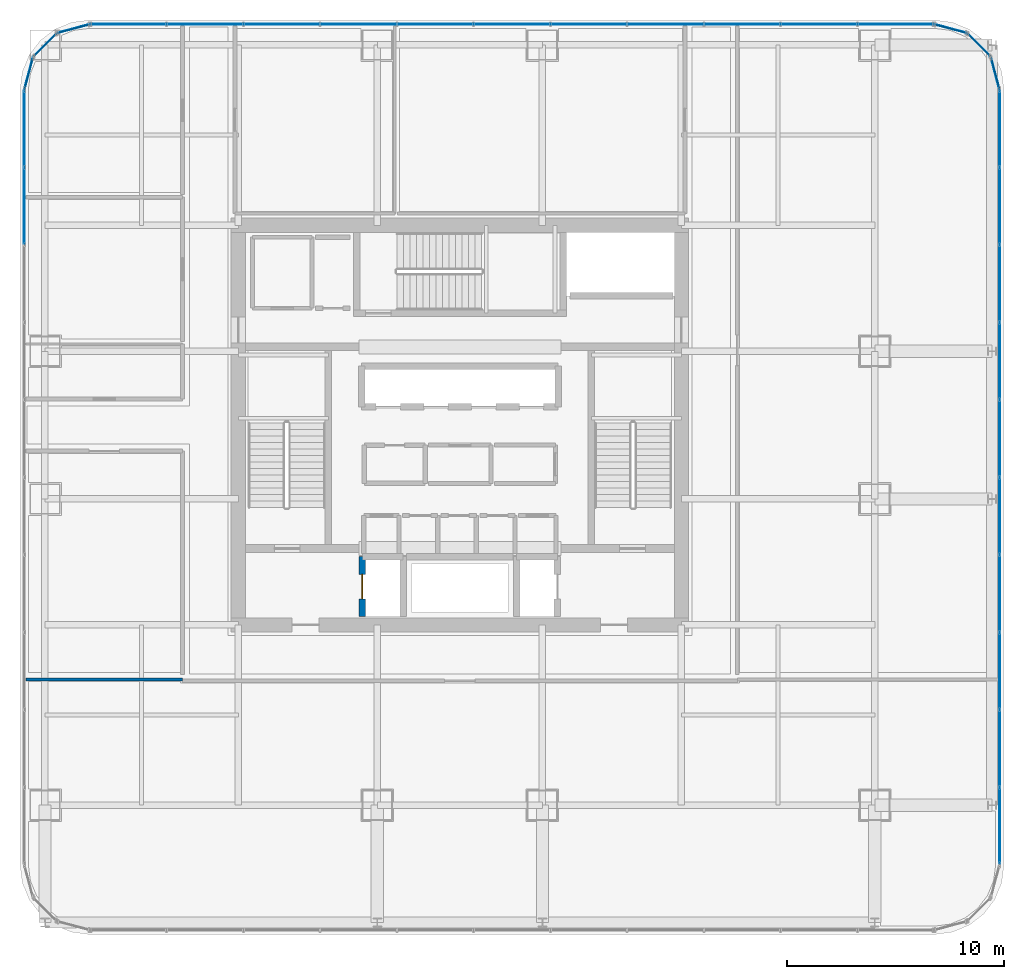
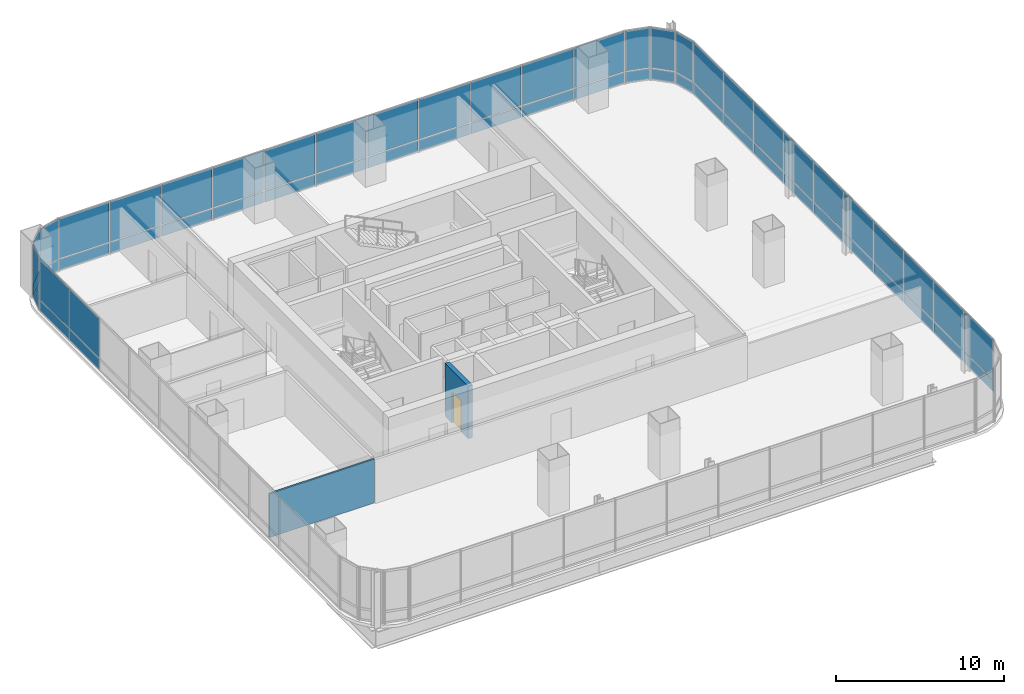
# One storey, part 28 of 36: 58 plates, 2 walls, 1 door, 1 opening, 9 elements without a shape of their own.
"""IFC4 building model written with IfcOpenShell, lengths in metres."""

import ifcopenshell
import ifcopenshell.guid

model = None  # the IFC model being written
_history = None  # IfcOwnerHistory: only IFC2X3 demands one
_inside = {}  # id of a spatial element -> (the spatial element, [elements in it])
_under = {}  # id of a project, library or spatial element -> (it, [spatial elements below it])
_declared = {}  # id of a project -> (the project, [libraries it declares])
_typed = {}  # id of a type object -> (the type object, [elements of that type])
_made_of = {}  # id of a material, layer set ... -> (it, [elements and type objects made of it])


def new_model(schema):
    """Start an empty IFC model of exactly this schema.

    Asked for "IFC4X3", IfcOpenShell would pick the latest addendum, in which some entities
    have other attributes; the version numbers below select the first issue.
    IFC2X3 requires an IfcOwnerHistory on every rooted entity: one is made here for all.
    """
    global model, _history
    if schema == "IFC4X3":
        model = ifcopenshell.file(schema_version=(4, 3, 0, 0))
    else:
        model = ifcopenshell.file(schema=schema)
    _inside.clear()
    _under.clear()
    _declared.clear()
    _typed.clear()
    _made_of.clear()
    _history = None
    if model.schema == "IFC2X3":
        org = make("IfcOrganization", Name="unknown")
        user = make(
            "IfcPersonAndOrganization",
            ThePerson=make("IfcPerson", FamilyName="unknown"),
            TheOrganization=org,
        )
        app = make(
            "IfcApplication",
            ApplicationDeveloper=org,
            Version="unknown",
            ApplicationFullName="unknown",
            ApplicationIdentifier="unknown",
        )
        _history = make(
            "IfcOwnerHistory",
            OwningUser=user,
            OwningApplication=app,
            ChangeAction="ADDED",
            CreationDate=0,
        )
    return model


def make(cls, **values):
    """One entity of the class cls with the attributes given. An attribute that is None is left unset."""
    return model.create_entity(
        cls, **{name: value for name, value in values.items() if value is not None}
    )


def rooted(cls, **values):
    """An entity with a GlobalId (a new one), such as an element, a storey or a relation."""
    return make(cls, GlobalId=ifcopenshell.guid.new(), OwnerHistory=_history, **values)


def si_unit(unit_type, name, prefix=None):
    """IfcSIUnit, for example si_unit("LENGTHUNIT", "METRE", prefix="MILLI")."""
    return make("IfcSIUnit", UnitType=unit_type, Prefix=prefix, Name=name)


def assignment(units):
    """IfcUnitAssignment: the units of a project."""
    return None if units is None else make("IfcUnitAssignment", Units=units)


def point(xyz):
    """IfcCartesianPoint."""
    return None if xyz is None else make("IfcCartesianPoint", Coordinates=xyz)


def direction(xyz):
    """IfcDirection."""
    return None if xyz is None else make("IfcDirection", DirectionRatios=xyz)


def frame(location, z_axis=None, x_axis=None):
    """IfcAxis2Placement3D, a coordinate frame: its origin and axes. An axis left out is left unset."""
    return make(
        "IfcAxis2Placement3D",
        Location=point(location),
        Axis=direction(z_axis),
        RefDirection=direction(x_axis),
    )


def frame_2d(location, x_axis=None):
    """IfcAxis2Placement2D, a coordinate frame in the plane: its origin and x axis."""
    return make(
        "IfcAxis2Placement2D", Location=point(location), RefDirection=direction(x_axis)
    )


def origin():
    """The frame at (0, 0, 0) with its axes left unset."""
    return frame((0.0, 0.0, 0.0))


def origin_2d():
    """The frame at (0, 0) in the plane with its x axis left unset."""
    return frame_2d((0.0, 0.0))


def place(relative_to, where):
    """IfcLocalPlacement: puts the frame where relative to a parent placement (None: the world)."""
    return make(
        "IfcLocalPlacement", PlacementRelTo=relative_to, RelativePlacement=where
    )


def context(
    kind, dimensions, precision=None, world=None, true_north=None, identifier=None
):
    """IfcGeometricRepresentationContext, for example the 3D "Model" context."""
    return make(
        "IfcGeometricRepresentationContext",
        ContextIdentifier=identifier,
        ContextType=kind,
        CoordinateSpaceDimension=dimensions,
        Precision=precision,
        WorldCoordinateSystem=world,
        TrueNorth=true_north,
    )


def subcontext(parent, identifier, kind, view, scale=None):
    """IfcGeometricRepresentationSubContext, for example "Body" below "Model"."""
    return make(
        "IfcGeometricRepresentationSubContext",
        ContextIdentifier=identifier,
        ContextType=kind,
        ParentContext=parent,
        TargetScale=scale,
        TargetView=view,
    )


def project(units=None, contexts=None):
    """IfcProject with its units and contexts."""
    return rooted(
        "IfcProject",
        Name="project",
        RepresentationContexts=contexts,
        UnitsInContext=assignment(units),
    )


def spatial(cls, under=None, at=None, **own):
    """A site, building, storey or space (cls), placed at a placement, below another one or the project."""
    s = rooted(cls, ObjectPlacement=at, **own)
    if under is not None:
        _under.setdefault(under.id(), (under, []))[1].append(s)
    return s


def profile(cls, at=None, kind="AREA", **sizes):
    """A parametric profile (cls). Its sizes go by their IFC names, for example OverallWidth=200.0."""
    return make(cls, ProfileType=kind, Position=at, **sizes)


def rectangle(**sizes):
    """IfcRectangleProfileDef."""
    return profile("IfcRectangleProfileDef", **sizes)


def extrude(swept, where, along, depth):
    """IfcExtrudedAreaSolid: the profile swept, set in the frame where, extruded along a direction by depth."""
    return make(
        "IfcExtrudedAreaSolid",
        SweptArea=swept,
        Position=where,
        ExtrudedDirection=direction(along),
        Depth=depth,
    )


def shape(context_of_items, identifier, shape_type, items):
    """IfcShapeRepresentation: the items that make up one representation, for example the "Body"."""
    return make(
        "IfcShapeRepresentation",
        ContextOfItems=context_of_items,
        RepresentationIdentifier=identifier,
        RepresentationType=shape_type,
        Items=items,
    )


def material(Name=None, Category=None):
    """IfcMaterial."""
    return make("IfcMaterial", Name=Name, Category=Category)


def layer(
    of_material, thickness, ventilated=None, Name=None, Category=None, Priority=None
):
    """IfcMaterialLayer: one layer of a wall or slab, of a material (None: an air gap)."""
    return make(
        "IfcMaterialLayer",
        Material=of_material,
        LayerThickness=thickness,
        IsVentilated=ventilated,
        Name=Name,
        Category=Category,
        Priority=Priority,
    )


def layer_set(layers, Name=None):
    """IfcMaterialLayerSet."""
    return make("IfcMaterialLayerSet", MaterialLayers=layers, LayerSetName=Name)


def made_of(thing, what):
    """Note that an element or type object is made of a material, layer set ...; save() writes the relation."""
    if what is not None:
        _made_of.setdefault(what.id(), (what, []))[1].append(thing)
    return thing


def type_object(cls, material=None, **own):
    """A type object (cls), such as IfcWallType, which elements share."""
    return made_of(rooted(cls, **own), material)


def element(
    cls,
    number,
    at=None,
    inside=None,
    cuts=None,
    type_object=None,
    material=None,
    context=None,
    identifier="Body",
    shape_type=None,
    held_by="IfcProductDefinitionShape",
    body=None,
    shapes=None,
    **own,
):
    """One element of the class cls, such as IfcWall. Its Tag is "e" and its number.

    at: its placement. inside: the storey or other place that contains it. cuts: it is an
    opening in that element (IfcRelVoidsElement). A single representation is given by context,
    identifier, shape_type and body (its items); several are given by shapes. held_by: the class
    of the entity that holds the representations. save() writes the other relations.
    """
    e = rooted(cls, Tag="e%d" % number, ObjectPlacement=at, **own)
    if body is not None:
        shapes = [shape(context, identifier, shape_type, body)]
    if shapes is not None:
        e.Representation = make(held_by, Representations=shapes)
    if inside is not None:
        _inside.setdefault(inside.id(), (inside, []))[1].append(e)
    if cuts is not None:
        rooted(
            "IfcRelVoidsElement", RelatingBuildingElement=cuts, RelatedOpeningElement=e
        )
    if type_object is not None:
        _typed.setdefault(type_object.id(), (type_object, []))[1].append(e)
    return made_of(e, material)


def fill(opening, filler):
    """IfcRelFillsElement: the door or window that sits in an opening."""
    return rooted(
        "IfcRelFillsElement",
        RelatingOpeningElement=opening,
        RelatedBuildingElement=filler,
    )


def aggregate(whole, parts):
    """IfcRelAggregates: a whole, such as a stair, and the parts it consists of."""
    return rooted("IfcRelAggregates", RelatingObject=whole, RelatedObjects=parts)


def save(model, path):
    """Write the relations noted so far, then the file.

    IfcRelAggregates (storeys below a building ...), IfcRelContainedInSpatialStructure (elements
    in a storey), IfcRelDefinesByType, IfcRelAssociatesMaterial and IfcRelDeclares: one each for
    every whole, place, type object, material and project.
    """
    for whole, parts in _under.values():
        aggregate(whole, parts)
    for where, things in _inside.values():
        rooted(
            "IfcRelContainedInSpatialStructure",
            RelatedElements=things,
            RelatingStructure=where,
        )
    for kind, things in _typed.values():
        rooted("IfcRelDefinesByType", RelatedObjects=things, RelatingType=kind)
    for what, things in _made_of.values():
        rooted("IfcRelAssociatesMaterial", RelatedObjects=things, RelatingMaterial=what)
    for by, libraries in _declared.values():
        rooted("IfcRelDeclares", RelatingContext=by, RelatedDefinitions=libraries)
    model.write(path)


model = new_model("IFC4")

# Units and contexts
model_context = context("Model", 3, precision=1e-05, world=origin(), true_north=direction((0.0, 1.0)))
body_context = subcontext(model_context, "Body", "Model", "MODEL_VIEW")
ifc_project = project(units=[si_unit("LENGTHUNIT", "METRE"), si_unit("AREAUNIT", "SQUARE_METRE"), si_unit("VOLUMEUNIT", "CUBIC_METRE"), si_unit("PLANEANGLEUNIT", "RADIAN"), si_unit("MASSUNIT", "GRAM", prefix="KILO")], contexts=[model_context])

# Site, building, storey
site_placement = place(None, origin())
site = spatial("IfcSite", under=ifc_project, at=site_placement, CompositionType="ELEMENT")
building_placement = place(site_placement, origin())
building = spatial("IfcBuilding", under=site, at=building_placement, Name="Punatoya Terracotta Tower", CompositionType="ELEMENT")
storey_placement = place(building_placement, frame((0.0, 0.0, 212.699951171875)))
storey = spatial("IfcBuildingStorey", under=building, at=storey_placement, Name="L50", CompositionType="ELEMENT", Elevation=212.699951171875)

# Curtain wall, plates
ifc_material_1 = material(Name="Aluminium 6063-T6 + Double Low-E Glass", Category="aluminium")
curtain_wall_type = type_object("IfcCurtainWallType", Name="CW-M2", PredefinedType="NOTDEFINED", material=ifc_material_1)
curtain_wall_1_placement = place(storey_placement, origin())
curtain_wall_1 = element("IfcCurtainWall", 1, at=curtain_wall_1_placement, inside=storey, type_object=curtain_wall_type, Name="L50 Curtain Wall CW-L50-E05-1", PredefinedType="NOTDEFINED")
ifc_material_2 = material(Name="Double Low-E Acoustic Vision Glass", Category="glass")
ifc_layer_1 = layer(ifc_material_2, 0.031982421875)
ifc_layer_set_1 = layer_set([ifc_layer_1], Name="Double Low-E Acoustic Vision Glass")
plate_type_1 = type_object("IfcPlateType", Name="PLT-GLZ-32", PredefinedType="CURTAIN_PANEL", material=ifc_layer_set_1)
plate_1_placement = place(storey_placement, frame((24.85009765625, -18.453125, 0.89013671875), z_axis=(0.0, 0.0, 1.0), x_axis=(0.0, 1.0, 0.0)))
plate_1 = element("IfcPlate", 2, at=plate_1_placement, type_object=plate_type_1, Name="CW-L50-E05-1 Vision Glass Panel 1", PredefinedType="CURTAIN_PANEL", context=body_context, shape_type="SweptSolid", body=[
    extrude(rectangle(XDim=3.482421875, YDim=0.031982421875, at=origin_2d()), origin(), (0.0, 0.0, 1.0), 2.89990234375),
])
plate_2_placement = place(storey_placement, frame((24.85009765625, -14.8857421875, 0.89013671875), z_axis=(0.0, 0.0, 1.0), x_axis=(0.0, 1.0, 0.0)))
plate_2 = element("IfcPlate", 3, at=plate_2_placement, type_object=plate_type_1, Name="CW-L50-E05-1 Vision Glass Panel 2", PredefinedType="CURTAIN_PANEL", context=body_context, shape_type="SweptSolid", body=[
    extrude(rectangle(XDim=3.482421875, YDim=0.031982421875, at=origin_2d()), origin(), (0.0, 0.0, 1.0), 2.89990234375),
])
plate_3_placement = place(storey_placement, frame((24.85009765625, -11.318359375, 0.89013671875), z_axis=(0.0, 0.0, 1.0), x_axis=(0.0, 1.0, 0.0)))
plate_3 = element("IfcPlate", 4, at=plate_3_placement, type_object=plate_type_1, Name="CW-L50-E05-1 Vision Glass Panel 3", PredefinedType="CURTAIN_PANEL", context=body_context, shape_type="SweptSolid", body=[
    extrude(rectangle(XDim=3.482421875, YDim=0.031982421875, at=origin_2d()), origin(), (0.0, 0.0, 1.0), 2.89990234375),
])
plate_4_placement = place(storey_placement, frame((24.85009765625, -7.751220703125, 0.89013671875), z_axis=(0.0, 0.0, 1.0), x_axis=(0.0, 1.0, 0.0)))
plate_4 = element("IfcPlate", 5, at=plate_4_placement, type_object=plate_type_1, Name="CW-L50-E05-1 Vision Glass Panel 4", PredefinedType="CURTAIN_PANEL", context=body_context, shape_type="SweptSolid", body=[
    extrude(rectangle(XDim=3.482421875, YDim=0.031982421875, at=origin_2d()), origin(), (0.0, 0.0, 1.0), 2.89990234375),
])
plate_5_placement = place(storey_placement, frame((24.85009765625, -4.18359375, 0.89013671875), z_axis=(0.0, 0.0, 1.0), x_axis=(0.0, 1.0, 0.0)))
plate_5 = element("IfcPlate", 6, at=plate_5_placement, type_object=plate_type_1, Name="CW-L50-E05-1 Vision Glass Panel 5", PredefinedType="CURTAIN_PANEL", context=body_context, shape_type="SweptSolid", body=[
    extrude(rectangle(XDim=3.482421875, YDim=0.031982421875, at=origin_2d()), origin(), (0.0, 0.0, 1.0), 2.89990234375),
])
plate_6_placement = place(storey_placement, frame((24.85009765625, -0.6162109375, 0.89013671875), z_axis=(0.0, 0.0, 1.0), x_axis=(0.0, 1.0, 0.0)))
plate_6 = element("IfcPlate", 7, at=plate_6_placement, type_object=plate_type_1, Name="CW-L50-E05-1 Vision Glass Panel 6", PredefinedType="CURTAIN_PANEL", context=body_context, shape_type="SweptSolid", body=[
    extrude(rectangle(XDim=3.482421875, YDim=0.031982421875, at=origin_2d()), origin(), (0.0, 0.0, 1.0), 2.89990234375),
])
plate_7_placement = place(storey_placement, frame((24.85009765625, 2.951171875, 0.89013671875), z_axis=(0.0, 0.0, 1.0), x_axis=(0.0, 1.0, 0.0)))
plate_7 = element("IfcPlate", 8, at=plate_7_placement, type_object=plate_type_1, Name="CW-L50-E05-1 Vision Glass Panel 7", PredefinedType="CURTAIN_PANEL", context=body_context, shape_type="SweptSolid", body=[
    extrude(rectangle(XDim=3.482421875, YDim=0.031982421875, at=origin_2d()), origin(), (0.0, 0.0, 1.0), 2.89990234375),
])
plate_8_placement = place(storey_placement, frame((24.85009765625, 6.518310546875, 0.89013671875), z_axis=(0.0, 0.0, 1.0), x_axis=(0.0, 1.0, 0.0)))
plate_8 = element("IfcPlate", 9, at=plate_8_placement, type_object=plate_type_1, Name="CW-L50-E05-1 Vision Glass Panel 8", PredefinedType="CURTAIN_PANEL", context=body_context, shape_type="SweptSolid", body=[
    extrude(rectangle(XDim=3.482421875, YDim=0.031982421875, at=origin_2d()), origin(), (0.0, 0.0, 1.0), 2.89990234375),
])
plate_9_placement = place(storey_placement, frame((24.85009765625, 10.085693359375, 0.89013671875), z_axis=(0.0, 0.0, 1.0), x_axis=(0.0, 1.0, 0.0)))
plate_9 = element("IfcPlate", 10, at=plate_9_placement, type_object=plate_type_1, Name="CW-L50-E05-1 Vision Glass Panel 9", PredefinedType="CURTAIN_PANEL", context=body_context, shape_type="SweptSolid", body=[
    extrude(rectangle(XDim=3.482421875, YDim=0.031982421875, at=origin_2d()), origin(), (0.0, 0.0, 1.0), 2.89990234375),
])
plate_10_placement = place(storey_placement, frame((24.85009765625, 13.6533203125, 0.89013671875), z_axis=(0.0, 0.0, 1.0), x_axis=(0.0, 1.0, 0.0)))
plate_10 = element("IfcPlate", 11, at=plate_10_placement, type_object=plate_type_1, Name="CW-L50-E05-1 Vision Glass Panel 10", PredefinedType="CURTAIN_PANEL", context=body_context, shape_type="SweptSolid", body=[
    extrude(rectangle(XDim=3.482421875, YDim=0.031982421875, at=origin_2d()), origin(), (0.0, 0.0, 1.0), 2.89990234375),
])

# Curtain wall, plate
curtain_wall_2_placement = place(storey_placement, origin())
curtain_wall_2 = element("IfcCurtainWall", 12, at=curtain_wall_2_placement, inside=storey, type_object=curtain_wall_type, Name="L50 Curtain Wall CW-L50-CRN06", PredefinedType="NOTDEFINED")
plate_11_placement = place(storey_placement, frame((24.648193359375, 16.193115234375, 0.89013671875), z_axis=(0.0, 0.0, 1.0), x_axis=(-0.257741620719, 0.966213877436, 0.0)))
plate_11 = element("IfcPlate", 13, at=plate_11_placement, type_object=plate_type_1, Name="CW-L50-CRN06 Vision Glass Panel 1", PredefinedType="CURTAIN_PANEL", context=body_context, shape_type="SweptSolid", body=[
    extrude(rectangle(XDim=1.47998046875, YDim=0.031982421875, at=origin_2d()), origin(), (0.0, 0.0, 1.0), 2.89990234375),
])

curtain_wall_3_placement = place(storey_placement, origin())
curtain_wall_3 = element("IfcCurtainWall", 14, at=curtain_wall_3_placement, inside=storey, type_object=curtain_wall_type, Name="L50 Curtain Wall CW-L50-CRN07", PredefinedType="NOTDEFINED")
plate_12_placement = place(storey_placement, frame((23.89794921875, 17.497802734375, 0.89013671875), z_axis=(0.0, 0.0, 1.0), x_axis=(-0.707106781187, 0.707106781187, 0.0)))
plate_12 = element("IfcPlate", 15, at=plate_12_placement, type_object=plate_type_1, Name="CW-L50-CRN07 Vision Glass Panel 1", PredefinedType="CURTAIN_PANEL", context=body_context, shape_type="SweptSolid", body=[
    extrude(rectangle(XDim=1.467041015625, YDim=0.031982421875, at=origin_2d()), origin(), (0.0, 0.0, 1.0), 2.89990234375),
])

curtain_wall_4_placement = place(storey_placement, origin())
curtain_wall_4 = element("IfcCurtainWall", 16, at=curtain_wall_4_placement, inside=storey, type_object=curtain_wall_type, Name="L50 Curtain Wall CW-L50-CRN08", PredefinedType="NOTDEFINED")
plate_13_placement = place(storey_placement, frame((22.593017578125, 18.248291015625, 0.89013671875), z_axis=(0.0, 0.0, 1.0), x_axis=(-0.966213877436, 0.257741620719, 0.0)))
plate_13 = element("IfcPlate", 17, at=plate_13_placement, type_object=plate_type_1, Name="CW-L50-CRN08 Vision Glass Panel 1", PredefinedType="CURTAIN_PANEL", context=body_context, shape_type="SweptSolid", body=[
    extrude(rectangle(XDim=1.47998046875, YDim=0.031982421875, at=origin_2d()), origin(), (0.0, 0.0, 1.0), 2.89990234375),
])

# Curtain wall, plates
curtain_wall_5_placement = place(storey_placement, origin())
curtain_wall_5 = element("IfcCurtainWall", 18, at=curtain_wall_5_placement, inside=storey, type_object=curtain_wall_type, Name="L50 Curtain Wall CW-L50-N09-1", PredefinedType="NOTDEFINED")
plate_14_placement = place(storey_placement, frame((20.06982421875, 18.449951171875, 0.89013671875), z_axis=(0.0, 0.0, 1.0), x_axis=(-1.0, 0.0, 0.0)))
plate_14 = element("IfcPlate", 19, at=plate_14_placement, type_object=plate_type_1, Name="CW-L50-N09-1 Vision Glass Panel 1", PredefinedType="CURTAIN_PANEL", context=body_context, shape_type="SweptSolid", body=[
    extrude(rectangle(XDim=3.448974609375, YDim=0.031982421875, at=origin_2d()), origin(), (0.0, 0.0, 1.0), 2.89990234375),
])
plate_15_placement = place(storey_placement, frame((16.535888671875, 18.449951171875, 0.89013671875), z_axis=(0.0, 0.0, 1.0), x_axis=(-1.0, 0.0, 0.0)))
plate_15 = element("IfcPlate", 20, at=plate_15_placement, type_object=plate_type_1, Name="CW-L50-N09-1 Vision Glass Panel 2", PredefinedType="CURTAIN_PANEL", context=body_context, shape_type="SweptSolid", body=[
    extrude(rectangle(XDim=3.448974609375, YDim=0.031982421875, at=origin_2d()), origin(), (0.0, 0.0, 1.0), 2.89990234375),
])
plate_16_placement = place(storey_placement, frame((13.001953125, 18.449951171875, 0.89013671875), z_axis=(0.0, 0.0, 1.0), x_axis=(-1.0, 0.0, 0.0)))
plate_16 = element("IfcPlate", 21, at=plate_16_placement, type_object=plate_type_1, Name="CW-L50-N09-1 Vision Glass Panel 3", PredefinedType="CURTAIN_PANEL", context=body_context, shape_type="SweptSolid", body=[
    extrude(rectangle(XDim=3.448974609375, YDim=0.031982421875, at=origin_2d()), origin(), (0.0, 0.0, 1.0), 2.89990234375),
])
plate_17_placement = place(storey_placement, frame((9.468017578125, 18.449951171875, 0.89013671875), z_axis=(0.0, 0.0, 1.0), x_axis=(-1.0, 0.0, 0.0)))
plate_17 = element("IfcPlate", 22, at=plate_17_placement, type_object=plate_type_1, Name="CW-L50-N09-1 Vision Glass Panel 4", PredefinedType="CURTAIN_PANEL", context=body_context, shape_type="SweptSolid", body=[
    extrude(rectangle(XDim=3.448974609375, YDim=0.031982421875, at=origin_2d()), origin(), (0.0, 0.0, 1.0), 2.89990234375),
])
plate_18_placement = place(storey_placement, frame((5.93408203125, 18.449951171875, 0.89013671875), z_axis=(0.0, 0.0, 1.0), x_axis=(-1.0, 0.0, 0.0)))
plate_18 = element("IfcPlate", 23, at=plate_18_placement, type_object=plate_type_1, Name="CW-L50-N09-1 Vision Glass Panel 5", PredefinedType="CURTAIN_PANEL", context=body_context, shape_type="SweptSolid", body=[
    extrude(rectangle(XDim=3.448974609375, YDim=0.031982421875, at=origin_2d()), origin(), (0.0, 0.0, 1.0), 2.89990234375),
])
plate_19_placement = place(storey_placement, frame((2.39990234375, 18.449951171875, 0.89013671875), z_axis=(0.0, 0.0, 1.0), x_axis=(-1.0, 0.0, 0.0)))
plate_19 = element("IfcPlate", 24, at=plate_19_placement, type_object=plate_type_1, Name="CW-L50-N09-1 Vision Glass Panel 6", PredefinedType="CURTAIN_PANEL", context=body_context, shape_type="SweptSolid", body=[
    extrude(rectangle(XDim=3.448974609375, YDim=0.031982421875, at=origin_2d()), origin(), (0.0, 0.0, 1.0), 2.89990234375),
])
plate_20_placement = place(storey_placement, frame((-1.134033203125, 18.449951171875, 0.89013671875), z_axis=(0.0, 0.0, 1.0), x_axis=(-1.0, 0.0, 0.0)))
plate_20 = element("IfcPlate", 25, at=plate_20_placement, type_object=plate_type_1, Name="CW-L50-N09-1 Vision Glass Panel 7", PredefinedType="CURTAIN_PANEL", context=body_context, shape_type="SweptSolid", body=[
    extrude(rectangle(XDim=3.448974609375, YDim=0.031982421875, at=origin_2d()), origin(), (0.0, 0.0, 1.0), 2.89990234375),
])
plate_21_placement = place(storey_placement, frame((-4.66796875, 18.449951171875, 0.89013671875), z_axis=(0.0, 0.0, 1.0), x_axis=(-1.0, 0.0, 0.0)))
plate_21 = element("IfcPlate", 26, at=plate_21_placement, type_object=plate_type_1, Name="CW-L50-N09-1 Vision Glass Panel 8", PredefinedType="CURTAIN_PANEL", context=body_context, shape_type="SweptSolid", body=[
    extrude(rectangle(XDim=3.448974609375, YDim=0.031982421875, at=origin_2d()), origin(), (0.0, 0.0, 1.0), 2.89990234375),
])
plate_22_placement = place(storey_placement, frame((-8.201904296875, 18.449951171875, 0.89013671875), z_axis=(0.0, 0.0, 1.0), x_axis=(-1.0, 0.0, 0.0)))
plate_22 = element("IfcPlate", 27, at=plate_22_placement, type_object=plate_type_1, Name="CW-L50-N09-1 Vision Glass Panel 9", PredefinedType="CURTAIN_PANEL", context=body_context, shape_type="SweptSolid", body=[
    extrude(rectangle(XDim=3.448974609375, YDim=0.031982421875, at=origin_2d()), origin(), (0.0, 0.0, 1.0), 2.89990234375),
])
plate_23_placement = place(storey_placement, frame((-11.73583984375, 18.449951171875, 0.89013671875), z_axis=(0.0, 0.0, 1.0), x_axis=(-1.0, 0.0, 0.0)))
plate_23 = element("IfcPlate", 28, at=plate_23_placement, type_object=plate_type_1, Name="CW-L50-N09-1 Vision Glass Panel 10", PredefinedType="CURTAIN_PANEL", context=body_context, shape_type="SweptSolid", body=[
    extrude(rectangle(XDim=3.448974609375, YDim=0.031982421875, at=origin_2d()), origin(), (0.0, 0.0, 1.0), 2.89990234375),
])
plate_24_placement = place(storey_placement, frame((-15.27001953125, 18.449951171875, 0.89013671875), z_axis=(0.0, 0.0, 1.0), x_axis=(-1.0, 0.0, 0.0)))
plate_24 = element("IfcPlate", 29, at=plate_24_placement, type_object=plate_type_1, Name="CW-L50-N09-1 Vision Glass Panel 11", PredefinedType="CURTAIN_PANEL", context=body_context, shape_type="SweptSolid", body=[
    extrude(rectangle(XDim=3.448974609375, YDim=0.031982421875, at=origin_2d()), origin(), (0.0, 0.0, 1.0), 2.89990234375),
])

# Curtain wall, plate
curtain_wall_6_placement = place(storey_placement, origin())
curtain_wall_6 = element("IfcCurtainWall", 30, at=curtain_wall_6_placement, inside=storey, type_object=curtain_wall_type, Name="L50 Curtain Wall CW-L50-CRN10", PredefinedType="NOTDEFINED")
plate_25_placement = place(storey_placement, frame((-17.79296875, 18.248291015625, 0.89013671875), z_axis=(0.0, 0.0, 1.0), x_axis=(-0.966213877436, -0.257741620719, 0.0)))
plate_25 = element("IfcPlate", 31, at=plate_25_placement, type_object=plate_type_1, Name="CW-L50-CRN10 Vision Glass Panel 1", PredefinedType="CURTAIN_PANEL", context=body_context, shape_type="SweptSolid", body=[
    extrude(rectangle(XDim=1.47998046875, YDim=0.031982421875, at=origin_2d()), origin(), (0.0, 0.0, 1.0), 2.89990234375),
])

curtain_wall_7_placement = place(storey_placement, origin())
curtain_wall_7 = element("IfcCurtainWall", 32, at=curtain_wall_7_placement, inside=storey, type_object=curtain_wall_type, Name="L50 Curtain Wall CW-L50-CRN11", PredefinedType="NOTDEFINED")
plate_26_placement = place(storey_placement, frame((-19.097900390625, 17.497802734375, 0.89013671875), z_axis=(0.0, 0.0, 1.0), x_axis=(-0.707106781187, -0.707106781187, 0.0)))
plate_26 = element("IfcPlate", 33, at=plate_26_placement, type_object=plate_type_1, Name="CW-L50-CRN11 Vision Glass Panel 1", PredefinedType="CURTAIN_PANEL", context=body_context, shape_type="SweptSolid", body=[
    extrude(rectangle(XDim=1.467041015625, YDim=0.031982421875, at=origin_2d()), origin(), (0.0, 0.0, 1.0), 2.89990234375),
])

curtain_wall_8_placement = place(storey_placement, origin())
curtain_wall_8 = element("IfcCurtainWall", 34, at=curtain_wall_8_placement, inside=storey, type_object=curtain_wall_type, Name="L50 Curtain Wall CW-L50-CRN12", PredefinedType="NOTDEFINED")
plate_27_placement = place(storey_placement, frame((-19.848388671875, 16.193115234375, 0.89013671875), z_axis=(0.0, 0.0, 1.0), x_axis=(-0.257741620719, -0.966213877436, 0.0)))
plate_27 = element("IfcPlate", 35, at=plate_27_placement, type_object=plate_type_1, Name="CW-L50-CRN12 Vision Glass Panel 1", PredefinedType="CURTAIN_PANEL", context=body_context, shape_type="SweptSolid", body=[
    extrude(rectangle(XDim=1.47998046875, YDim=0.031982421875, at=origin_2d()), origin(), (0.0, 0.0, 1.0), 2.89990234375),
])

# Curtain wall, plates
curtain_wall_9_placement = place(storey_placement, origin())
curtain_wall_9 = element("IfcCurtainWall", 36, at=curtain_wall_9_placement, inside=storey, type_object=curtain_wall_type, Name="L50 Curtain Wall CW-L50-W13-1", PredefinedType="NOTDEFINED")
plate_28_placement = place(storey_placement, frame((-20.050048828125, 13.6533203125, 0.89013671875), z_axis=(0.0, 0.0, 1.0), x_axis=(0.0, -1.0, 0.0)))
plate_28 = element("IfcPlate", 37, at=plate_28_placement, type_object=plate_type_1, Name="CW-L50-W13-1 Vision Glass Panel 1", PredefinedType="CURTAIN_PANEL", context=body_context, shape_type="SweptSolid", body=[
    extrude(rectangle(XDim=3.482421875, YDim=0.031982421875, at=origin_2d()), origin(), (0.0, 0.0, 1.0), 2.89990234375),
])
plate_29_placement = place(storey_placement, frame((-20.050048828125, 10.085693359375, 0.89013671875), z_axis=(0.0, 0.0, 1.0), x_axis=(0.0, -1.0, 0.0)))
plate_29 = element("IfcPlate", 38, at=plate_29_placement, type_object=plate_type_1, Name="CW-L50-W13-1 Vision Glass Panel 2", PredefinedType="CURTAIN_PANEL", context=body_context, shape_type="SweptSolid", body=[
    extrude(rectangle(XDim=3.482421875, YDim=0.031982421875, at=origin_2d()), origin(), (0.0, 0.0, 1.0), 2.89990234375),
])

# Plate
ifc_material_3 = material(Name="Insulated Terracotta-Backed Spandrel Panel", Category="masonry")
ifc_layer_2 = layer(ifc_material_3, 0.044921875)
ifc_layer_set_2 = layer_set([ifc_layer_2], Name="Insulated Terracotta-Backed Spandrel Panel")
plate_type_2 = type_object("IfcPlateType", Name="PLT-SPN-45", PredefinedType="CURTAIN_PANEL", material=ifc_layer_set_2)
plate_30_placement = place(storey_placement, frame((24.85009765625, -18.453125, 0.0400390625), z_axis=(0.0, 0.0, 1.0), x_axis=(0.0, 1.0, 0.0)))
plate_30 = element("IfcPlate", 39, at=plate_30_placement, type_object=plate_type_2, Name="CW-L50-E05-1 Terracotta Spandrel Panel 1", PredefinedType="CURTAIN_PANEL", context=body_context, shape_type="SweptSolid", body=[
    extrude(rectangle(XDim=3.482421875, YDim=0.044921875, at=origin_2d()), origin(), (0.0, 0.0, 1.0), 0.77490234375),
])

plate_31_placement = place(storey_placement, frame((24.85009765625, -14.8857421875, 0.0400390625), z_axis=(0.0, 0.0, 1.0), x_axis=(0.0, 1.0, 0.0)))
plate_31 = element("IfcPlate", 40, at=plate_31_placement, type_object=plate_type_2, Name="CW-L50-E05-1 Terracotta Spandrel Panel 2", PredefinedType="CURTAIN_PANEL", context=body_context, shape_type="SweptSolid", body=[
    extrude(rectangle(XDim=3.482421875, YDim=0.044921875, at=origin_2d()), origin(), (0.0, 0.0, 1.0), 0.77490234375),
])

plate_32_placement = place(storey_placement, frame((24.85009765625, -11.318359375, 0.0400390625), z_axis=(0.0, 0.0, 1.0), x_axis=(0.0, 1.0, 0.0)))
plate_32 = element("IfcPlate", 41, at=plate_32_placement, type_object=plate_type_2, Name="CW-L50-E05-1 Terracotta Spandrel Panel 3", PredefinedType="CURTAIN_PANEL", context=body_context, shape_type="SweptSolid", body=[
    extrude(rectangle(XDim=3.482421875, YDim=0.044921875, at=origin_2d()), origin(), (0.0, 0.0, 1.0), 0.77490234375),
])

plate_33_placement = place(storey_placement, frame((24.85009765625, -7.751220703125, 0.0400390625), z_axis=(0.0, 0.0, 1.0), x_axis=(0.0, 1.0, 0.0)))
plate_33 = element("IfcPlate", 42, at=plate_33_placement, type_object=plate_type_2, Name="CW-L50-E05-1 Terracotta Spandrel Panel 4", PredefinedType="CURTAIN_PANEL", context=body_context, shape_type="SweptSolid", body=[
    extrude(rectangle(XDim=3.482421875, YDim=0.044921875, at=origin_2d()), origin(), (0.0, 0.0, 1.0), 0.77490234375),
])

plate_34_placement = place(storey_placement, frame((24.85009765625, -4.18359375, 0.0400390625), z_axis=(0.0, 0.0, 1.0), x_axis=(0.0, 1.0, 0.0)))
plate_34 = element("IfcPlate", 43, at=plate_34_placement, type_object=plate_type_2, Name="CW-L50-E05-1 Terracotta Spandrel Panel 5", PredefinedType="CURTAIN_PANEL", context=body_context, shape_type="SweptSolid", body=[
    extrude(rectangle(XDim=3.482421875, YDim=0.044921875, at=origin_2d()), origin(), (0.0, 0.0, 1.0), 0.77490234375),
])

plate_35_placement = place(storey_placement, frame((24.85009765625, -0.6162109375, 0.0400390625), z_axis=(0.0, 0.0, 1.0), x_axis=(0.0, 1.0, 0.0)))
plate_35 = element("IfcPlate", 44, at=plate_35_placement, type_object=plate_type_2, Name="CW-L50-E05-1 Terracotta Spandrel Panel 6", PredefinedType="CURTAIN_PANEL", context=body_context, shape_type="SweptSolid", body=[
    extrude(rectangle(XDim=3.482421875, YDim=0.044921875, at=origin_2d()), origin(), (0.0, 0.0, 1.0), 0.77490234375),
])

plate_36_placement = place(storey_placement, frame((24.85009765625, 2.951171875, 0.0400390625), z_axis=(0.0, 0.0, 1.0), x_axis=(0.0, 1.0, 0.0)))
plate_36 = element("IfcPlate", 45, at=plate_36_placement, type_object=plate_type_2, Name="CW-L50-E05-1 Terracotta Spandrel Panel 7", PredefinedType="CURTAIN_PANEL", context=body_context, shape_type="SweptSolid", body=[
    extrude(rectangle(XDim=3.482421875, YDim=0.044921875, at=origin_2d()), origin(), (0.0, 0.0, 1.0), 0.77490234375),
])

plate_37_placement = place(storey_placement, frame((24.85009765625, 6.518310546875, 0.0400390625), z_axis=(0.0, 0.0, 1.0), x_axis=(0.0, 1.0, 0.0)))
plate_37 = element("IfcPlate", 46, at=plate_37_placement, type_object=plate_type_2, Name="CW-L50-E05-1 Terracotta Spandrel Panel 8", PredefinedType="CURTAIN_PANEL", context=body_context, shape_type="SweptSolid", body=[
    extrude(rectangle(XDim=3.482421875, YDim=0.044921875, at=origin_2d()), origin(), (0.0, 0.0, 1.0), 0.77490234375),
])

plate_38_placement = place(storey_placement, frame((24.85009765625, 10.085693359375, 0.0400390625), z_axis=(0.0, 0.0, 1.0), x_axis=(0.0, 1.0, 0.0)))
plate_38 = element("IfcPlate", 47, at=plate_38_placement, type_object=plate_type_2, Name="CW-L50-E05-1 Terracotta Spandrel Panel 9", PredefinedType="CURTAIN_PANEL", context=body_context, shape_type="SweptSolid", body=[
    extrude(rectangle(XDim=3.482421875, YDim=0.044921875, at=origin_2d()), origin(), (0.0, 0.0, 1.0), 0.77490234375),
])

plate_39_placement = place(storey_placement, frame((24.85009765625, 13.6533203125, 0.0400390625), z_axis=(0.0, 0.0, 1.0), x_axis=(0.0, 1.0, 0.0)))
plate_39 = element("IfcPlate", 48, at=plate_39_placement, type_object=plate_type_2, Name="CW-L50-E05-1 Terracotta Spandrel Panel 10", PredefinedType="CURTAIN_PANEL", context=body_context, shape_type="SweptSolid", body=[
    extrude(rectangle(XDim=3.482421875, YDim=0.044921875, at=origin_2d()), origin(), (0.0, 0.0, 1.0), 0.77490234375),
])

aggregate(curtain_wall_1, [plate_30, plate_1, plate_31, plate_2, plate_32, plate_3, plate_33, plate_4, plate_34, plate_5, plate_35, plate_6, plate_36, plate_7, plate_37, plate_8, plate_38, plate_9, plate_39, plate_10])

plate_40_placement = place(storey_placement, frame((24.648193359375, 16.193115234375, 0.0400390625), z_axis=(0.0, 0.0, 1.0), x_axis=(-0.257741620719, 0.966213877436, 0.0)))
plate_40 = element("IfcPlate", 49, at=plate_40_placement, type_object=plate_type_2, Name="CW-L50-CRN06 Terracotta Spandrel Panel 1", PredefinedType="CURTAIN_PANEL", context=body_context, shape_type="SweptSolid", body=[
    extrude(rectangle(XDim=1.47998046875, YDim=0.044921875, at=origin_2d()), origin(), (0.0, 0.0, 1.0), 0.77490234375),
])

aggregate(curtain_wall_2, [plate_40, plate_11])

plate_41_placement = place(storey_placement, frame((23.89794921875, 17.497802734375, 0.0400390625), z_axis=(0.0, 0.0, 1.0), x_axis=(-0.707106781187, 0.707106781187, 0.0)))
plate_41 = element("IfcPlate", 50, at=plate_41_placement, type_object=plate_type_2, Name="CW-L50-CRN07 Terracotta Spandrel Panel 1", PredefinedType="CURTAIN_PANEL", context=body_context, shape_type="SweptSolid", body=[
    extrude(rectangle(XDim=1.467041015625, YDim=0.044921875, at=origin_2d()), origin(), (0.0, 0.0, 1.0), 0.77490234375),
])

aggregate(curtain_wall_3, [plate_41, plate_12])

plate_42_placement = place(storey_placement, frame((22.593017578125, 18.248291015625, 0.0400390625), z_axis=(0.0, 0.0, 1.0), x_axis=(-0.966213877436, 0.257741620719, 0.0)))
plate_42 = element("IfcPlate", 51, at=plate_42_placement, type_object=plate_type_2, Name="CW-L50-CRN08 Terracotta Spandrel Panel 1", PredefinedType="CURTAIN_PANEL", context=body_context, shape_type="SweptSolid", body=[
    extrude(rectangle(XDim=1.47998046875, YDim=0.044921875, at=origin_2d()), origin(), (0.0, 0.0, 1.0), 0.77490234375),
])

aggregate(curtain_wall_4, [plate_42, plate_13])

plate_43_placement = place(storey_placement, frame((20.06982421875, 18.449951171875, 0.0400390625), z_axis=(0.0, 0.0, 1.0), x_axis=(-1.0, 0.0, 0.0)))
plate_43 = element("IfcPlate", 52, at=plate_43_placement, type_object=plate_type_2, Name="CW-L50-N09-1 Terracotta Spandrel Panel 1", PredefinedType="CURTAIN_PANEL", context=body_context, shape_type="SweptSolid", body=[
    extrude(rectangle(XDim=3.448974609375, YDim=0.044921875, at=origin_2d()), origin(), (0.0, 0.0, 1.0), 0.77490234375),
])

plate_44_placement = place(storey_placement, frame((16.535888671875, 18.449951171875, 0.0400390625), z_axis=(0.0, 0.0, 1.0), x_axis=(-1.0, 0.0, 0.0)))
plate_44 = element("IfcPlate", 53, at=plate_44_placement, type_object=plate_type_2, Name="CW-L50-N09-1 Terracotta Spandrel Panel 2", PredefinedType="CURTAIN_PANEL", context=body_context, shape_type="SweptSolid", body=[
    extrude(rectangle(XDim=3.448974609375, YDim=0.044921875, at=origin_2d()), origin(), (0.0, 0.0, 1.0), 0.77490234375),
])

plate_45_placement = place(storey_placement, frame((13.001953125, 18.449951171875, 0.0400390625), z_axis=(0.0, 0.0, 1.0), x_axis=(-1.0, 0.0, 0.0)))
plate_45 = element("IfcPlate", 54, at=plate_45_placement, type_object=plate_type_2, Name="CW-L50-N09-1 Terracotta Spandrel Panel 3", PredefinedType="CURTAIN_PANEL", context=body_context, shape_type="SweptSolid", body=[
    extrude(rectangle(XDim=3.448974609375, YDim=0.044921875, at=origin_2d()), origin(), (0.0, 0.0, 1.0), 0.77490234375),
])

plate_46_placement = place(storey_placement, frame((9.468017578125, 18.449951171875, 0.0400390625), z_axis=(0.0, 0.0, 1.0), x_axis=(-1.0, 0.0, 0.0)))
plate_46 = element("IfcPlate", 55, at=plate_46_placement, type_object=plate_type_2, Name="CW-L50-N09-1 Terracotta Spandrel Panel 4", PredefinedType="CURTAIN_PANEL", context=body_context, shape_type="SweptSolid", body=[
    extrude(rectangle(XDim=3.448974609375, YDim=0.044921875, at=origin_2d()), origin(), (0.0, 0.0, 1.0), 0.77490234375),
])

plate_47_placement = place(storey_placement, frame((5.93408203125, 18.449951171875, 0.0400390625), z_axis=(0.0, 0.0, 1.0), x_axis=(-1.0, 0.0, 0.0)))
plate_47 = element("IfcPlate", 56, at=plate_47_placement, type_object=plate_type_2, Name="CW-L50-N09-1 Terracotta Spandrel Panel 5", PredefinedType="CURTAIN_PANEL", context=body_context, shape_type="SweptSolid", body=[
    extrude(rectangle(XDim=3.448974609375, YDim=0.044921875, at=origin_2d()), origin(), (0.0, 0.0, 1.0), 0.77490234375),
])

plate_48_placement = place(storey_placement, frame((2.39990234375, 18.449951171875, 0.0400390625), z_axis=(0.0, 0.0, 1.0), x_axis=(-1.0, 0.0, 0.0)))
plate_48 = element("IfcPlate", 57, at=plate_48_placement, type_object=plate_type_2, Name="CW-L50-N09-1 Terracotta Spandrel Panel 6", PredefinedType="CURTAIN_PANEL", context=body_context, shape_type="SweptSolid", body=[
    extrude(rectangle(XDim=3.448974609375, YDim=0.044921875, at=origin_2d()), origin(), (0.0, 0.0, 1.0), 0.77490234375),
])

plate_49_placement = place(storey_placement, frame((-1.134033203125, 18.449951171875, 0.0400390625), z_axis=(0.0, 0.0, 1.0), x_axis=(-1.0, 0.0, 0.0)))
plate_49 = element("IfcPlate", 58, at=plate_49_placement, type_object=plate_type_2, Name="CW-L50-N09-1 Terracotta Spandrel Panel 7", PredefinedType="CURTAIN_PANEL", context=body_context, shape_type="SweptSolid", body=[
    extrude(rectangle(XDim=3.448974609375, YDim=0.044921875, at=origin_2d()), origin(), (0.0, 0.0, 1.0), 0.77490234375),
])

plate_50_placement = place(storey_placement, frame((-4.66796875, 18.449951171875, 0.0400390625), z_axis=(0.0, 0.0, 1.0), x_axis=(-1.0, 0.0, 0.0)))
plate_50 = element("IfcPlate", 59, at=plate_50_placement, type_object=plate_type_2, Name="CW-L50-N09-1 Terracotta Spandrel Panel 8", PredefinedType="CURTAIN_PANEL", context=body_context, shape_type="SweptSolid", body=[
    extrude(rectangle(XDim=3.448974609375, YDim=0.044921875, at=origin_2d()), origin(), (0.0, 0.0, 1.0), 0.77490234375),
])

plate_51_placement = place(storey_placement, frame((-8.201904296875, 18.449951171875, 0.0400390625), z_axis=(0.0, 0.0, 1.0), x_axis=(-1.0, 0.0, 0.0)))
plate_51 = element("IfcPlate", 60, at=plate_51_placement, type_object=plate_type_2, Name="CW-L50-N09-1 Terracotta Spandrel Panel 9", PredefinedType="CURTAIN_PANEL", context=body_context, shape_type="SweptSolid", body=[
    extrude(rectangle(XDim=3.448974609375, YDim=0.044921875, at=origin_2d()), origin(), (0.0, 0.0, 1.0), 0.77490234375),
])

plate_52_placement = place(storey_placement, frame((-11.73583984375, 18.449951171875, 0.0400390625), z_axis=(0.0, 0.0, 1.0), x_axis=(-1.0, 0.0, 0.0)))
plate_52 = element("IfcPlate", 61, at=plate_52_placement, type_object=plate_type_2, Name="CW-L50-N09-1 Terracotta Spandrel Panel 10", PredefinedType="CURTAIN_PANEL", context=body_context, shape_type="SweptSolid", body=[
    extrude(rectangle(XDim=3.448974609375, YDim=0.044921875, at=origin_2d()), origin(), (0.0, 0.0, 1.0), 0.77490234375),
])

plate_53_placement = place(storey_placement, frame((-15.27001953125, 18.449951171875, 0.0400390625), z_axis=(0.0, 0.0, 1.0), x_axis=(-1.0, 0.0, 0.0)))
plate_53 = element("IfcPlate", 62, at=plate_53_placement, type_object=plate_type_2, Name="CW-L50-N09-1 Terracotta Spandrel Panel 11", PredefinedType="CURTAIN_PANEL", context=body_context, shape_type="SweptSolid", body=[
    extrude(rectangle(XDim=3.448974609375, YDim=0.044921875, at=origin_2d()), origin(), (0.0, 0.0, 1.0), 0.77490234375),
])

aggregate(curtain_wall_5, [plate_43, plate_14, plate_44, plate_15, plate_45, plate_16, plate_46, plate_17, plate_47, plate_18, plate_48, plate_19, plate_49, plate_20, plate_50, plate_21, plate_51, plate_22, plate_52, plate_23, plate_53, plate_24])

plate_54_placement = place(storey_placement, frame((-17.79296875, 18.248291015625, 0.0400390625), z_axis=(0.0, 0.0, 1.0), x_axis=(-0.966213877436, -0.257741620719, 0.0)))
plate_54 = element("IfcPlate", 63, at=plate_54_placement, type_object=plate_type_2, Name="CW-L50-CRN10 Terracotta Spandrel Panel 1", PredefinedType="CURTAIN_PANEL", context=body_context, shape_type="SweptSolid", body=[
    extrude(rectangle(XDim=1.47998046875, YDim=0.044921875, at=origin_2d()), origin(), (0.0, 0.0, 1.0), 0.77490234375),
])

aggregate(curtain_wall_6, [plate_54, plate_25])

plate_55_placement = place(storey_placement, frame((-19.097900390625, 17.497802734375, 0.0400390625), z_axis=(0.0, 0.0, 1.0), x_axis=(-0.707106781187, -0.707106781187, 0.0)))
plate_55 = element("IfcPlate", 64, at=plate_55_placement, type_object=plate_type_2, Name="CW-L50-CRN11 Terracotta Spandrel Panel 1", PredefinedType="CURTAIN_PANEL", context=body_context, shape_type="SweptSolid", body=[
    extrude(rectangle(XDim=1.467041015625, YDim=0.044921875, at=origin_2d()), origin(), (0.0, 0.0, 1.0), 0.77490234375),
])

aggregate(curtain_wall_7, [plate_55, plate_26])

plate_56_placement = place(storey_placement, frame((-19.848388671875, 16.193115234375, 0.0400390625), z_axis=(0.0, 0.0, 1.0), x_axis=(-0.257741620719, -0.966213877436, 0.0)))
plate_56 = element("IfcPlate", 65, at=plate_56_placement, type_object=plate_type_2, Name="CW-L50-CRN12 Terracotta Spandrel Panel 1", PredefinedType="CURTAIN_PANEL", context=body_context, shape_type="SweptSolid", body=[
    extrude(rectangle(XDim=1.47998046875, YDim=0.044921875, at=origin_2d()), origin(), (0.0, 0.0, 1.0), 0.77490234375),
])

aggregate(curtain_wall_8, [plate_56, plate_27])

plate_57_placement = place(storey_placement, frame((-20.050048828125, 13.6533203125, 0.0400390625), z_axis=(0.0, 0.0, 1.0), x_axis=(0.0, -1.0, 0.0)))
plate_57 = element("IfcPlate", 66, at=plate_57_placement, type_object=plate_type_2, Name="CW-L50-W13-1 Terracotta Spandrel Panel 1", PredefinedType="CURTAIN_PANEL", context=body_context, shape_type="SweptSolid", body=[
    extrude(rectangle(XDim=3.482421875, YDim=0.044921875, at=origin_2d()), origin(), (0.0, 0.0, 1.0), 0.77490234375),
])

plate_58_placement = place(storey_placement, frame((-20.050048828125, 10.085693359375, 0.0400390625), z_axis=(0.0, 0.0, 1.0), x_axis=(0.0, -1.0, 0.0)))
plate_58 = element("IfcPlate", 67, at=plate_58_placement, type_object=plate_type_2, Name="CW-L50-W13-1 Terracotta Spandrel Panel 2", PredefinedType="CURTAIN_PANEL", context=body_context, shape_type="SweptSolid", body=[
    extrude(rectangle(XDim=3.482421875, YDim=0.044921875, at=origin_2d()), origin(), (0.0, 0.0, 1.0), 0.77490234375),
])

aggregate(curtain_wall_9, [plate_57, plate_28, plate_58, plate_29])

# Wall
ifc_material_4 = material(Name="Gypsum Partition + Steel Stud", Category="steel")
ifc_layer_3 = layer(ifc_material_4, 0.1201171875)
ifc_layer_set_3 = layer_set([ifc_layer_3], Name="Gypsum Partition + Steel Stud")
wall_type_1 = type_object("IfcWallType", Name="WL-OFF-120", PredefinedType="PARTITIONING", material=ifc_layer_set_3)
wall_1_placement = place(storey_placement, frame((-19.969970703125, -11.7099609375, 0.0), z_axis=(0.0, 0.0, 1.0), x_axis=(1.0, 0.0, 0.0)))
element("IfcWall", 68, at=wall_1_placement, inside=storey, type_object=wall_type_1, Name="L50 Plenary Seminar Room Partition 28", PredefinedType="PARTITIONING", context=body_context, shape_type="SweptSolid", body=[
    extrude(rectangle(XDim=7.199951171875, YDim=0.1201171875, at=frame_2d((3.60009765625, 0.0))), origin(), (0.0, 0.0, 1.0), 3.174072265625),
])

# Wall, opening, door
ifc_material_5 = material(Name="Concrete C40/50", Category="concrete")
ifc_layer_4 = layer(ifc_material_5, 0.300048828125)
ifc_layer_set_4 = layer_set([ifc_layer_4], Name="Concrete C40/50")
wall_type_2 = type_object("IfcWallType", Name="WL-SHF-300", PredefinedType="SOLIDWALL", material=ifc_layer_set_4)
wall_2_placement = place(storey_placement, frame((-4.489990234375, -8.820068359375, 0.0), z_axis=(0.0, 0.0, 1.0), x_axis=(0.0, 1.0, 0.0)))
wall_2 = element("IfcWall", 69, at=wall_2_placement, inside=storey, type_object=wall_type_2, Name="L50 FFL-1 Front Hoistway Wall", PredefinedType="SOLIDWALL", context=body_context, shape_type="SweptSolid", body=[
    extrude(rectangle(XDim=2.77001953125, YDim=0.300048828125, at=frame_2d((1.385009765625, 0.0))), origin(), (0.0, 0.0, 1.0), 3.830078125),
])
opening_placement = place(wall_2_placement, frame((0.824951171875, 0.0, 0.0)))
opening = element("IfcOpeningElement", 70, at=opening_placement, cuts=wall_2, Name="Opening LD-02", PredefinedType="OPENING", context=body_context, shape_type="SweptSolid", body=[
    extrude(rectangle(XDim=1.1201171875, YDim=2.25, at=frame_2d((0.56005859375, 1.125))), frame((0.0, 0.159912109375, 0.0), z_axis=(0.0, -1.0, 0.0), x_axis=(1.0, 0.0, 0.0)), (0.0, 0.0, 1.0), 0.320068359375),
])
ifc_material_6 = material(Name="Stainless Steel Lift Landing Door", Category="steel")
door_type = type_object("IfcDoorType", Name="DR-LND-1120", OperationType="NOTDEFINED", PredefinedType="DOOR", material=ifc_material_6)
door_placement = place(opening_placement, origin())
door = element("IfcDoor", 71, at=door_placement, inside=storey, type_object=door_type, Name="L50 Firefighting Lift FFL-1 Sliding Landing Door", OperationType="SLIDING_TO_LEFT", OverallHeight=2.25, OverallWidth=1.1201171875, PredefinedType="DOOR", context=body_context, shape_type="SweptSolid", body=[
    extrude(rectangle(XDim=1.1201171875, YDim=2.25, at=frame_2d((0.56005859375, 1.125))), frame((0.0, 0.02490234375, 0.0), z_axis=(0.0, -1.0, 0.0), x_axis=(1.0, 0.0, 0.0)), (0.0, 0.0, 1.0), 0.050048828125),
])
fill(opening, door)

save(model, "model.ifc")
